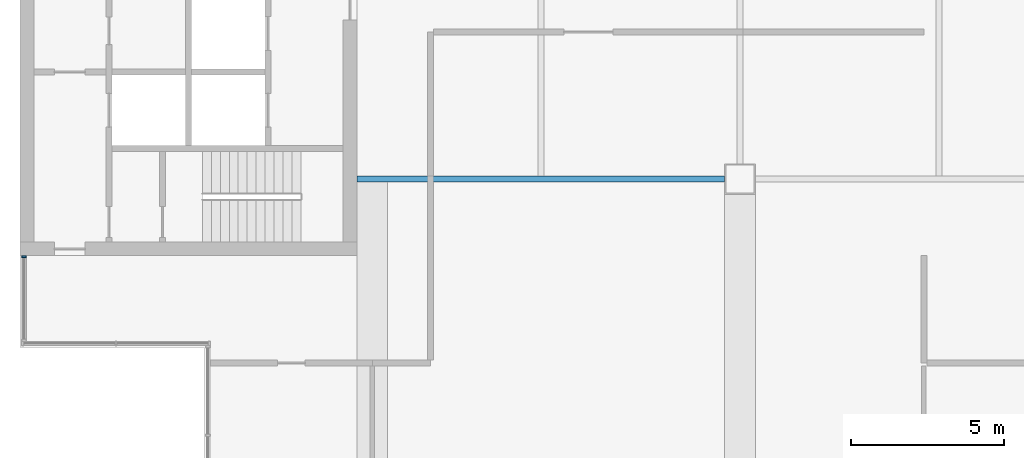
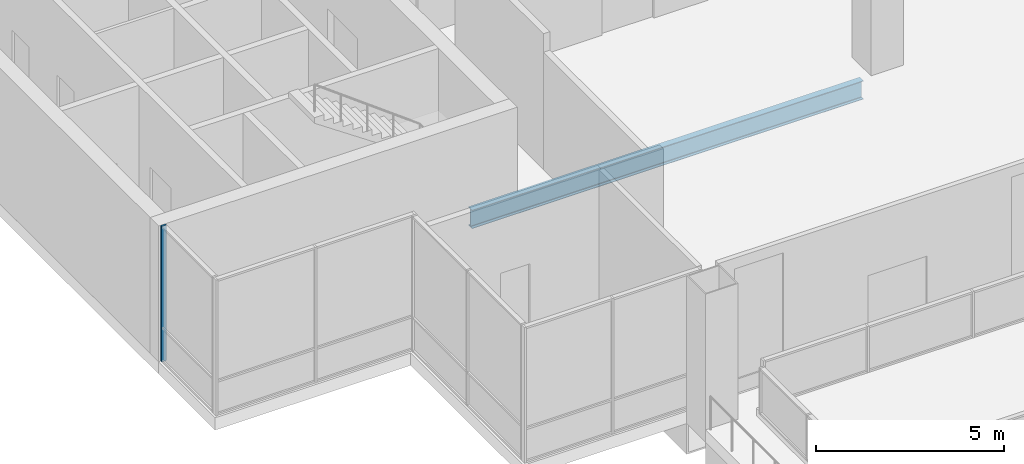
# One storey, part 4 of 15: 1 beam, 1 member, 1 element without a shape of its own.
"""IFC4 building model written with IfcOpenShell, lengths in metres."""

import ifcopenshell
import ifcopenshell.guid

model = None  # the IFC model being written
_history = None  # IfcOwnerHistory: only IFC2X3 demands one
_inside = {}  # id of a spatial element -> (the spatial element, [elements in it])
_under = {}  # id of a project, library or spatial element -> (it, [spatial elements below it])
_declared = {}  # id of a project -> (the project, [libraries it declares])
_typed = {}  # id of a type object -> (the type object, [elements of that type])
_made_of = {}  # id of a material, layer set ... -> (it, [elements and type objects made of it])


def new_model(schema):
    """Start an empty IFC model of exactly this schema.

    Asked for "IFC4X3", IfcOpenShell would pick the latest addendum, in which some entities
    have other attributes; the version numbers below select the first issue.
    IFC2X3 requires an IfcOwnerHistory on every rooted entity: one is made here for all.
    """
    global model, _history
    if schema == "IFC4X3":
        model = ifcopenshell.file(schema_version=(4, 3, 0, 0))
    else:
        model = ifcopenshell.file(schema=schema)
    _inside.clear()
    _under.clear()
    _declared.clear()
    _typed.clear()
    _made_of.clear()
    _history = None
    if model.schema == "IFC2X3":
        org = make("IfcOrganization", Name="unknown")
        user = make(
            "IfcPersonAndOrganization",
            ThePerson=make("IfcPerson", FamilyName="unknown"),
            TheOrganization=org,
        )
        app = make(
            "IfcApplication",
            ApplicationDeveloper=org,
            Version="unknown",
            ApplicationFullName="unknown",
            ApplicationIdentifier="unknown",
        )
        _history = make(
            "IfcOwnerHistory",
            OwningUser=user,
            OwningApplication=app,
            ChangeAction="ADDED",
            CreationDate=0,
        )
    return model


def make(cls, **values):
    """One entity of the class cls with the attributes given. An attribute that is None is left unset."""
    return model.create_entity(
        cls, **{name: value for name, value in values.items() if value is not None}
    )


def rooted(cls, **values):
    """An entity with a GlobalId (a new one), such as an element, a storey or a relation."""
    return make(cls, GlobalId=ifcopenshell.guid.new(), OwnerHistory=_history, **values)


def si_unit(unit_type, name, prefix=None):
    """IfcSIUnit, for example si_unit("LENGTHUNIT", "METRE", prefix="MILLI")."""
    return make("IfcSIUnit", UnitType=unit_type, Prefix=prefix, Name=name)


def assignment(units):
    """IfcUnitAssignment: the units of a project."""
    return None if units is None else make("IfcUnitAssignment", Units=units)


def point(xyz):
    """IfcCartesianPoint."""
    return None if xyz is None else make("IfcCartesianPoint", Coordinates=xyz)


def direction(xyz):
    """IfcDirection."""
    return None if xyz is None else make("IfcDirection", DirectionRatios=xyz)


def frame(location, z_axis=None, x_axis=None):
    """IfcAxis2Placement3D, a coordinate frame: its origin and axes. An axis left out is left unset."""
    return make(
        "IfcAxis2Placement3D",
        Location=point(location),
        Axis=direction(z_axis),
        RefDirection=direction(x_axis),
    )


def frame_2d(location, x_axis=None):
    """IfcAxis2Placement2D, a coordinate frame in the plane: its origin and x axis."""
    return make(
        "IfcAxis2Placement2D", Location=point(location), RefDirection=direction(x_axis)
    )


def origin():
    """The frame at (0, 0, 0) with its axes left unset."""
    return frame((0.0, 0.0, 0.0))


def origin_2d():
    """The frame at (0, 0) in the plane with its x axis left unset."""
    return frame_2d((0.0, 0.0))


def place(relative_to, where):
    """IfcLocalPlacement: puts the frame where relative to a parent placement (None: the world)."""
    return make(
        "IfcLocalPlacement", PlacementRelTo=relative_to, RelativePlacement=where
    )


def context(
    kind, dimensions, precision=None, world=None, true_north=None, identifier=None
):
    """IfcGeometricRepresentationContext, for example the 3D "Model" context."""
    return make(
        "IfcGeometricRepresentationContext",
        ContextIdentifier=identifier,
        ContextType=kind,
        CoordinateSpaceDimension=dimensions,
        Precision=precision,
        WorldCoordinateSystem=world,
        TrueNorth=true_north,
    )


def subcontext(parent, identifier, kind, view, scale=None):
    """IfcGeometricRepresentationSubContext, for example "Body" below "Model"."""
    return make(
        "IfcGeometricRepresentationSubContext",
        ContextIdentifier=identifier,
        ContextType=kind,
        ParentContext=parent,
        TargetScale=scale,
        TargetView=view,
    )


def project(units=None, contexts=None):
    """IfcProject with its units and contexts."""
    return rooted(
        "IfcProject",
        Name="project",
        RepresentationContexts=contexts,
        UnitsInContext=assignment(units),
    )


def spatial(cls, under=None, at=None, **own):
    """A site, building, storey or space (cls), placed at a placement, below another one or the project."""
    s = rooted(cls, ObjectPlacement=at, **own)
    if under is not None:
        _under.setdefault(under.id(), (under, []))[1].append(s)
    return s


def profile(cls, at=None, kind="AREA", **sizes):
    """A parametric profile (cls). Its sizes go by their IFC names, for example OverallWidth=200.0."""
    return make(cls, ProfileType=kind, Position=at, **sizes)


def rectangle(**sizes):
    """IfcRectangleProfileDef."""
    return profile("IfcRectangleProfileDef", **sizes)


def i_section(**sizes):
    """IfcIShapeProfileDef."""
    return profile("IfcIShapeProfileDef", **sizes)


def extrude(swept, where, along, depth):
    """IfcExtrudedAreaSolid: the profile swept, set in the frame where, extruded along a direction by depth."""
    return make(
        "IfcExtrudedAreaSolid",
        SweptArea=swept,
        Position=where,
        ExtrudedDirection=direction(along),
        Depth=depth,
    )


def shape(context_of_items, identifier, shape_type, items):
    """IfcShapeRepresentation: the items that make up one representation, for example the "Body"."""
    return make(
        "IfcShapeRepresentation",
        ContextOfItems=context_of_items,
        RepresentationIdentifier=identifier,
        RepresentationType=shape_type,
        Items=items,
    )


def material(Name=None, Category=None):
    """IfcMaterial."""
    return make("IfcMaterial", Name=Name, Category=Category)


def material_profile(
    of_material, cross_section, Name=None, Category=None, Priority=None
):
    """IfcMaterialProfile: a cross section and its material."""
    return make(
        "IfcMaterialProfile",
        Name=Name,
        Material=of_material,
        Profile=cross_section,
        Priority=Priority,
        Category=Category,
    )


def profile_set(profiles, Name=None, composite=None):
    """IfcMaterialProfileSet."""
    return make(
        "IfcMaterialProfileSet",
        Name=Name,
        MaterialProfiles=profiles,
        CompositeProfile=composite,
    )


def made_of(thing, what):
    """Note that an element or type object is made of a material, layer set ...; save() writes the relation."""
    if what is not None:
        _made_of.setdefault(what.id(), (what, []))[1].append(thing)
    return thing


def type_object(cls, material=None, **own):
    """A type object (cls), such as IfcWallType, which elements share."""
    return made_of(rooted(cls, **own), material)


def element(
    cls,
    number,
    at=None,
    inside=None,
    cuts=None,
    type_object=None,
    material=None,
    context=None,
    identifier="Body",
    shape_type=None,
    held_by="IfcProductDefinitionShape",
    body=None,
    shapes=None,
    **own,
):
    """One element of the class cls, such as IfcWall. Its Tag is "e" and its number.

    at: its placement. inside: the storey or other place that contains it. cuts: it is an
    opening in that element (IfcRelVoidsElement). A single representation is given by context,
    identifier, shape_type and body (its items); several are given by shapes. held_by: the class
    of the entity that holds the representations. save() writes the other relations.
    """
    e = rooted(cls, Tag="e%d" % number, ObjectPlacement=at, **own)
    if body is not None:
        shapes = [shape(context, identifier, shape_type, body)]
    if shapes is not None:
        e.Representation = make(held_by, Representations=shapes)
    if inside is not None:
        _inside.setdefault(inside.id(), (inside, []))[1].append(e)
    if cuts is not None:
        rooted(
            "IfcRelVoidsElement", RelatingBuildingElement=cuts, RelatedOpeningElement=e
        )
    if type_object is not None:
        _typed.setdefault(type_object.id(), (type_object, []))[1].append(e)
    return made_of(e, material)


def aggregate(whole, parts):
    """IfcRelAggregates: a whole, such as a stair, and the parts it consists of."""
    return rooted("IfcRelAggregates", RelatingObject=whole, RelatedObjects=parts)


def save(model, path):
    """Write the relations noted so far, then the file.

    IfcRelAggregates (storeys below a building ...), IfcRelContainedInSpatialStructure (elements
    in a storey), IfcRelDefinesByType, IfcRelAssociatesMaterial and IfcRelDeclares: one each for
    every whole, place, type object, material and project.
    """
    for whole, parts in _under.values():
        aggregate(whole, parts)
    for where, things in _inside.values():
        rooted(
            "IfcRelContainedInSpatialStructure",
            RelatedElements=things,
            RelatingStructure=where,
        )
    for kind, things in _typed.values():
        rooted("IfcRelDefinesByType", RelatedObjects=things, RelatingType=kind)
    for what, things in _made_of.values():
        rooted("IfcRelAssociatesMaterial", RelatedObjects=things, RelatingMaterial=what)
    for by, libraries in _declared.values():
        rooted("IfcRelDeclares", RelatingContext=by, RelatedDefinitions=libraries)
    model.write(path)


model = new_model("IFC4")

# Units and contexts
model_context = context("Model", 3, precision=1e-05, world=origin(), true_north=direction((0.0, 1.0)))
body_context = subcontext(model_context, "Body", "Model", "MODEL_VIEW")
ifc_project = project(units=[si_unit("LENGTHUNIT", "METRE"), si_unit("AREAUNIT", "SQUARE_METRE"), si_unit("VOLUMEUNIT", "CUBIC_METRE"), si_unit("PLANEANGLEUNIT", "RADIAN"), si_unit("MASSUNIT", "GRAM", prefix="KILO")], contexts=[model_context])

# Site, building, storey
site_placement = place(None, origin())
site = spatial("IfcSite", under=ifc_project, at=site_placement, CompositionType="ELEMENT")
building_placement = place(site_placement, origin())
building = spatial("IfcBuilding", under=site, at=building_placement, Name="Kitamizu Gate Tower and Museum", CompositionType="ELEMENT")
storey_placement = place(building_placement, frame((0.0, 0.0, 273.14990234375)))
storey = spatial("IfcBuildingStorey", under=building, at=storey_placement, Name="L74", CompositionType="ELEMENT", Elevation=273.14990234375)

# Beam
ifc_material_1 = material(Name="Steel SM490A", Category="steel")
ifc_material_profile_1 = material_profile(ifc_material_1, i_section(OverallWidth=0.199951171875, OverallDepth=0.60009765625, WebThickness=0.010986328125, FlangeThickness=0.01708984375, FilletRadius=0.02197265625, at=origin_2d()), Name="H-600x200x11x17")
ifc_profile_set_1 = profile_set([ifc_material_profile_1], Name="Steel SM490A")
beam_type = type_object("IfcBeamType", Name="Floor girder FG1 H 600x200x11x17", PredefinedType="BEAM", material=ifc_profile_set_1)
beam_placement = place(storey_placement, frame((23.5, 24.0, -0.699951171875), z_axis=(1.0, 0.0, 0.0), x_axis=(0.0, 1.0, 0.0)))
element("IfcBeam", 1, at=beam_placement, inside=storey, type_object=beam_type, Name="Floor girder FG1 y24 L74", PredefinedType="BEAM", context=body_context, shape_type="SweptSolid", body=[
    extrude(i_section(OverallWidth=0.199951171875, OverallDepth=0.60009765625, WebThickness=0.010986328125, FlangeThickness=0.01708984375, FilletRadius=0.02197265625, at=origin_2d()), origin(), (0.0, 0.0, 1.0), 12.0),
])

# Curtain wall, member
ifc_material_2 = material(Name="Bronze anodised aluminium frame, tinted triple glazing", Category="aluminium")
curtain_wall_type = type_object("IfcCurtainWallType", Name="CURTAIN WALL TYPE C SKY AMENITY", PredefinedType="NOTDEFINED", material=ifc_material_2)
curtain_wall_placement = place(storey_placement, origin())
curtain_wall = element("IfcCurtainWall", 2, at=curtain_wall_placement, inside=storey, type_object=curtain_wall_type, Name="Curtain wall CW-C west L74", PredefinedType="NOTDEFINED")
ifc_material_3 = material(Name="Bronze anodised aluminium", Category="aluminium")
ifc_material_profile_2 = material_profile(ifc_material_3, rectangle(XDim=0.06005859375, YDim=0.14990234375, at=origin_2d()), Name="AL 60X150")
ifc_profile_set_2 = profile_set([ifc_material_profile_2], Name="Bronze anodised aluminium")
member_type = type_object("IfcMemberType", Name="MULLION 60 X 150 TYPE C", PredefinedType="MULLION", material=ifc_profile_set_2)
member_placement = place(storey_placement, frame((12.635009765625, 21.469970703125, 0.0), z_axis=(0.0, 0.0, 1.0), x_axis=(0.0, 1.0, 0.0)))
member = element("IfcMember", 3, at=member_placement, type_object=member_type, Name="CW-C mullion 2", PredefinedType="MULLION", context=body_context, shape_type="SweptSolid", body=[
    extrude(rectangle(XDim=0.06005859375, YDim=0.14990234375, at=origin_2d()), origin(), (0.0, 0.0, 1.0), 4.400146484375),
])
aggregate(curtain_wall, [member])

save(model, "model.ifc")
